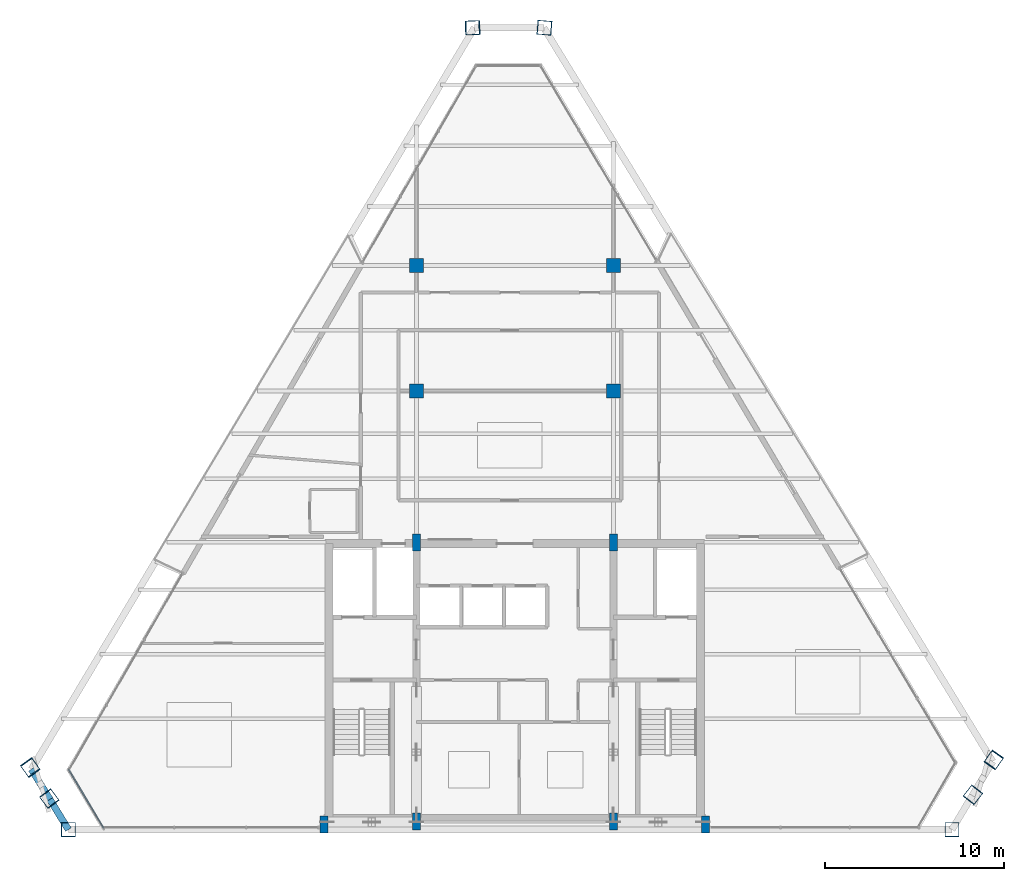
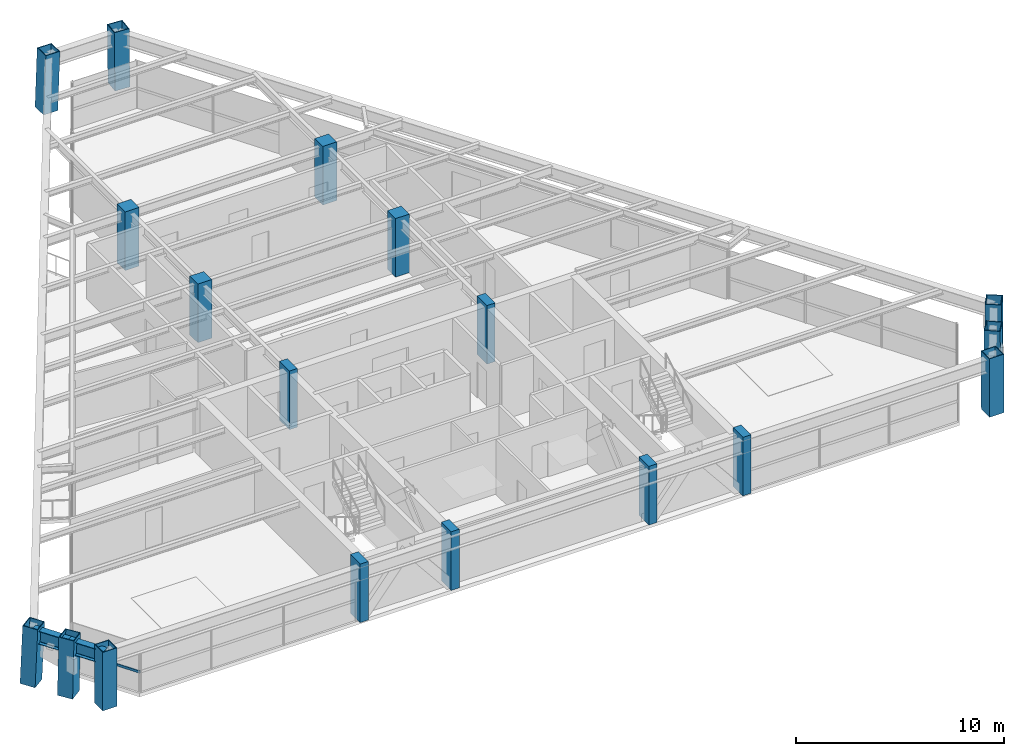
# One storey, part 1 of 13: 18 columns, 2 beams, 1 member, 1 element without a shape of its own.
"""IFC4 building model written with IfcOpenShell, lengths in metres."""

from ifc_helpers import new_model, si_unit, direction, frame, origin, origin_2d, place, context, subcontext, project, spatial, rectangle, hollow_rectangle, i_section, extrude, source, transform, mapped, material, material_profile, profile_set, type_object, type_shapes, element, aggregate, save


model = new_model("IFC4")

# Units and contexts
model_context = context("Model", 3, precision=1e-05, world=origin(), true_north=direction((0.0, 1.0)))
body_context = subcontext(model_context, "Body", "Model", "MODEL_VIEW")
ifc_project = project(units=[si_unit("LENGTHUNIT", "METRE"), si_unit("AREAUNIT", "SQUARE_METRE"), si_unit("VOLUMEUNIT", "CUBIC_METRE"), si_unit("PLANEANGLEUNIT", "RADIAN"), si_unit("MASSUNIT", "GRAM", prefix="KILO")], contexts=[model_context])

# Site, building, storey
site_placement = place(None, origin())
site = spatial("IfcSite", under=ifc_project, at=site_placement, CompositionType="ELEMENT")
building_placement = place(site_placement, origin())
building = spatial("IfcBuilding", under=site, at=building_placement, Name="Varnakhor Terracotta Tower", CompositionType="ELEMENT")
storey_placement = place(building_placement, frame((0.0, 0.0, 273.0)))
storey = spatial("IfcBuildingStorey", under=building, at=storey_placement, Name="L71", CompositionType="ELEMENT", Elevation=273.0)

# Columns
ifc_material_1 = material(Name="Concrete C50/60", Category="concrete")
ifc_material_profile_1 = material_profile(ifc_material_1, rectangle(XDim=0.449951171875, YDim=0.949951171875, at=origin_2d()), Name="RC PILASTER 950x450")
ifc_profile_set_1 = profile_set([ifc_material_profile_1], Name="Concrete C50/60")
column_type_1 = type_object("IfcColumnType", Name="COL-PIL-950x450", PredefinedType="PILASTER", material=ifc_profile_set_1)
shared_shape_1 = source(origin(), body_context, "Body", "SweptSolid", [
    extrude(rectangle(XDim=0.449951171875, YDim=0.949951171875, at=origin_2d()), origin(), (0.0, 0.0, 1.0), 3.449951171875),
])
for number, where, z_axis, x_axis, name in (
    (1, (-10.64990234375, 0.300048828125, 0.0), (0.0, 0.0, 1.0), (1.0, 0.0, 0.0), "L71 Core Pilaster CP1"),
    (2, (-5.5, 0.449951171875, 0.0), (0.0, 0.0, 1.0), (1.0, 0.0, 0.0), "L71 Core Pilaster CP2"),
    (3, (5.5, 0.449951171875, 0.0), (0.0, 0.0, 1.0), (1.0, 0.0, 0.0), "L71 Core Pilaster CP3"),
    (4, (10.64990234375, 0.300048828125, 0.0), (0.0, 0.0, 1.0), (1.0, 0.0, 0.0), "L71 Core Pilaster CP4"),
    (5, (-5.5, 16.050048828125, 0.0), (0.0, 0.0, 1.0), (1.0, 0.0, 0.0), "L71 Core Pilaster CP5"),
    (6, (5.5, 16.050048828125, 0.0), (0.0, 0.0, 1.0), (1.0, 0.0, 0.0), "L71 Core Pilaster CP6"),
):
    element("IfcColumn", number, at=place(storey_placement, frame(where, z_axis=z_axis, x_axis=x_axis)), inside=storey, type_object=column_type_1, Name=name, PredefinedType="PILASTER", context=body_context, shape_type="MappedRepresentation", body=[
        mapped(shared_shape_1, transform((0.0, 0.0, 0.0), scale=1.0)),
    ])
ifc_material_profile_2 = material_profile(ifc_material_1, rectangle(XDim=0.780029296875, YDim=0.780029296875, at=origin_2d()), Name="RC 780x780")
ifc_profile_set_2 = profile_set([ifc_material_profile_2], Name="Concrete C50/60")
column_type_2 = type_object("IfcColumnType", Name="COL-RC-780", PredefinedType="COLUMN", material=ifc_profile_set_2)
shared_shape_2 = source(origin(), body_context, "Body", "SweptSolid", [
    extrude(rectangle(XDim=0.780029296875, YDim=0.780029296875, at=origin_2d()), origin(), (0.0, 0.0, 1.0), 3.449951171875),
])
for number, where, z_axis, x_axis, name in (
    (7, (-5.5, 24.5, 0.0), (0.0, 0.0, 1.0), (1.0, 0.0, 0.0), "L71 Interior Tower Column IC1"),
    (8, (5.5, 24.5, 0.0), (0.0, 0.0, 1.0), (1.0, 0.0, 0.0), "L71 Interior Tower Column IC2"),
    (9, (-5.5, 31.5, 0.0), (0.0, 0.0, 1.0), (1.0, 0.0, 0.0), "L71 Interior Tower Column IC3"),
    (10, (5.5, 31.5, 0.0), (0.0, 0.0, 1.0), (1.0, 0.0, 0.0), "L71 Interior Tower Column IC4"),
):
    element("IfcColumn", number, at=place(storey_placement, frame(where, z_axis=z_axis, x_axis=x_axis)), inside=storey, type_object=column_type_2, Name=name, PredefinedType="COLUMN", context=body_context, shape_type="MappedRepresentation", body=[
        mapped(shared_shape_2, transform((0.0, 0.0, 0.0), scale=1.0)),
    ])
ifc_material_2 = material(Name="Steel S355", Category="steel")
ifc_material_profile_3 = material_profile(ifc_material_2, hollow_rectangle(XDim=0.800048828125, YDim=0.800048828125, WallThickness=0.0400390625, at=origin_2d()), Name="BOX 800x800x40")
ifc_profile_set_3 = profile_set([ifc_material_profile_3], Name="Steel S355")
column_type_3 = type_object("IfcColumnType", Name="COL-MEGA-800", PredefinedType="COLUMN", material=ifc_profile_set_3)
shared_shape_3 = source(origin(), body_context, "Body", "SweptSolid", [
    extrude(hollow_rectangle(XDim=0.800048828125, YDim=0.800048828125, WallThickness=0.0400390625, at=origin_2d()), origin(), (0.0, 0.0, 1.0), 3.44140625),
])
type_shapes(column_type_3, [shared_shape_3])
column_1_placement = place(storey_placement, frame((1.6591796875, 44.78076171875, 0.00439453125), z_axis=(-0.01191826782, 0.000993188985, 0.999928481676), x_axis=(-0.083045479854, -0.996545758245, 0.0)))
element("IfcColumn", 11, at=column_1_placement, inside=storey, type_object=column_type_3, Name="L71 Perimeter Mega-Column M5", PredefinedType="COLUMN", context=body_context, shape_type="MappedRepresentation", body=[
    mapped(shared_shape_3, transform((0.0, 0.0, 0.0), scale=1.0)),
])
shared_shape_4 = source(origin(), body_context, "Body", "SweptSolid", [
    extrude(hollow_rectangle(XDim=0.800048828125, YDim=0.800048828125, WallThickness=0.0400390625, at=origin_2d()), origin(), (0.0, 0.0, 1.0), 3.44189453125),
])
for number, where, z_axis, x_axis, name in (
    (12, (25.58837890625, 1.95751953125, 0.00439453125), (-0.012200500984, -0.015676225102, 0.999802682404), (0.789159901626, -0.614187796741, 0.0), "L71 Perimeter Mega-Column M3"),
    (13, (-26.00634765625, 1.744140625, 0.00439453125), (0.01220033377, -0.016527196327, 0.999788979554), (0.804534796684, 0.593905515149, 0.0), "L71 Perimeter Mega-Column M8"),
):
    element("IfcColumn", number, at=place(storey_placement, frame(where, z_axis=z_axis, x_axis=x_axis)), inside=storey, type_object=column_type_3, Name=name, PredefinedType="COLUMN", context=body_context, shape_type="MappedRepresentation", body=[
        mapped(shared_shape_4, transform((0.0, 0.0, 0.0), scale=1.0)),
    ])
shared_shape_5 = source(origin(), body_context, "Body", "SweptSolid", [
    extrude(hollow_rectangle(XDim=0.800048828125, YDim=0.800048828125, WallThickness=0.0400390625, at=origin_2d()), origin(), (0.0, 0.0, 1.0), 3.441162109375),
])
for number, where, z_axis, x_axis, name in (
    (14, (-24.93505859375, 0.0, 0.00439453125), (0.000851365424, 0.0, 0.999999637588), (1.0, 0.0, 0.0), "L71 Perimeter Mega-Column M1"),
    (15, (24.41748046875, 0.0, 0.00439453125), (-0.002412195891, 0.0, 0.999997090651), (0.0, -1.0, 0.0), "L71 Perimeter Mega-Column M2"),
):
    element("IfcColumn", number, at=place(storey_placement, frame(where, z_axis=z_axis, x_axis=x_axis)), inside=storey, type_object=column_type_3, Name=name, PredefinedType="COLUMN", context=body_context, shape_type="MappedRepresentation", body=[
        mapped(shared_shape_5, transform((0.0, 0.0, 0.0), scale=1.0)),
    ])
shared_shape_6 = source(origin(), body_context, "Body", "SweptSolid", [
    extrude(hollow_rectangle(XDim=0.800048828125, YDim=0.800048828125, WallThickness=0.0400390625, at=origin_2d()), origin(), (0.0, 0.0, 1.0), 3.443603515625),
])
column_2_placement = place(storey_placement, frame((26.759521484375, 3.9150390625, 0.00439453125), z_axis=(-0.022048360005, -0.031335611325, 0.999265705047), x_axis=(0.817838671192, -0.575447571811, 0.0)))
element("IfcColumn", 16, at=column_2_placement, inside=storey, type_object=column_type_3, Name="L71 Perimeter Mega-Column M4", PredefinedType="COLUMN", context=body_context, shape_type="MappedRepresentation", body=[
    mapped(shared_shape_6, transform((0.0, 0.0, 0.0), scale=1.0)),
])
shared_shape_7 = source(origin(), body_context, "Body", "SweptSolid", [
    extrude(hollow_rectangle(XDim=0.800048828125, YDim=0.800048828125, WallThickness=0.0400390625, at=origin_2d()), origin(), (0.0, 0.0, 1.0), 3.443115234375),
])
column_3_placement = place(storey_placement, frame((-2.377197265625, 44.78076171875, 0.00439453125), z_axis=(0.034601457275, 0.000992664758, 0.999400697304), x_axis=(-0.028676726094, 0.999588738122, 0.0)))
element("IfcColumn", 17, at=column_3_placement, inside=storey, type_object=column_type_3, Name="L71 Perimeter Mega-Column M6", PredefinedType="COLUMN", context=body_context, shape_type="MappedRepresentation", body=[
    mapped(shared_shape_7, transform((0.0, 0.0, 0.0), scale=1.0)),
])
shared_shape_8 = source(origin(), body_context, "Body", "SweptSolid", [
    extrude(hollow_rectangle(XDim=0.800048828125, YDim=0.800048828125, WallThickness=0.0400390625, at=origin_2d()), origin(), (0.0, 0.0, 1.0), 3.444091796875),
])
column_4_placement = place(storey_placement, frame((-27.07763671875, 3.48828125, 0.00439453125), z_axis=(0.02360591791, -0.033034107345, 0.999175414225), x_axis=(0.813615484448, 0.581403339745, 0.0)))
element("IfcColumn", 18, at=column_4_placement, inside=storey, type_object=column_type_3, Name="L71 Perimeter Mega-Column M7", PredefinedType="COLUMN", context=body_context, shape_type="MappedRepresentation", body=[
    mapped(shared_shape_8, transform((0.0, 0.0, 0.0), scale=1.0)),
])

# Beams
ifc_material_profile_4 = material_profile(ifc_material_2, i_section(OverallWidth=0.381103515625, OverallDepth=0.77294921875, WebThickness=0.01708984375, FlangeThickness=0.027099609375, FilletRadius=0.01806640625, at=origin_2d()), Name="W30X173")
ifc_profile_set_4 = profile_set([ifc_material_profile_4], Name="Steel S355")
beam_type = type_object("IfcBeamType", Name="BM-W30X173", PredefinedType="BEAM", material=ifc_profile_set_4)
shared_shape_9 = source(origin(), body_context, "Body", "SweptSolid", [
    extrude(i_section(OverallWidth=0.381103515625, OverallDepth=0.77294921875, WebThickness=0.01708984375, FlangeThickness=0.027099609375, FilletRadius=0.01806640625, at=origin_2d()), origin(), (0.0, 0.0, 1.0), 1.977783203125),
])
beam_1_placement = place(storey_placement, frame((-26.996337890625, 3.37451171875, 2.853515625), z_axis=(0.521774517891, -0.85308343817, 0.0), x_axis=(0.85308343817, 0.521774517891, 0.0)))
element("IfcBeam", 19, at=beam_1_placement, inside=storey, type_object=beam_type, Name="L71 Perimeter Spandrel 7", PredefinedType="BEAM", context=body_context, shape_type="MappedRepresentation", body=[
    mapped(shared_shape_9, transform((0.0, 0.0, 0.0), scale=1.0)),
])
shared_shape_10 = source(origin(), body_context, "Body", "SweptSolid", [
    extrude(i_section(OverallWidth=0.381103515625, OverallDepth=0.77294921875, WebThickness=0.01708984375, FlangeThickness=0.027099609375, FilletRadius=0.01806640625, at=origin_2d()), origin(), (0.0, 0.0, 1.0), 1.97802734375),
])
beam_2_placement = place(storey_placement, frame((-25.96435546875, 1.687255859375, 2.853515625), z_axis=(0.521864341744, -0.853028492382, 0.0), x_axis=(0.853028492382, 0.521864341744, 0.0)))
element("IfcBeam", 20, at=beam_2_placement, inside=storey, type_object=beam_type, Name="L71 Perimeter Spandrel 8", PredefinedType="BEAM", context=body_context, shape_type="MappedRepresentation", body=[
    mapped(shared_shape_10, transform((0.0, 0.0, 0.0), scale=1.0)),
])

# Curtain wall, member
ifc_material_3 = material(Name="Anodised Aluminium Curtain Wall System", Category="aluminium")
curtain_wall_type = type_object("IfcCurtainWallType", Name="CW-SYS-HOTEL-LOGGIA", PredefinedType="NOTDEFINED", material=ifc_material_3)
curtain_wall_placement = place(storey_placement, origin())
curtain_wall = element("IfcCurtainWall", 21, at=curtain_wall_placement, inside=storey, type_object=curtain_wall_type, Name="L71 Facet Curtain Wall 6", PredefinedType="NOTDEFINED")
ifc_material_4 = material(Name="Anodised Aluminium 6063-T6", Category="aluminium")
ifc_material_profile_5 = material_profile(ifc_material_4, rectangle(XDim=0.06494140625, YDim=0.14501953125, at=origin_2d()), Name="ALU TRANSOM 65x145")
ifc_profile_set_5 = profile_set([ifc_material_profile_5], Name="Anodised Aluminium 6063-T6")
member_type = type_object("IfcMemberType", Name="CWT-04", PredefinedType="USERDEFINED", material=ifc_profile_set_5)
shared_shape_11 = source(origin(), body_context, "Body", "SweptSolid", [
    extrude(rectangle(XDim=0.06494140625, YDim=0.14501953125, at=origin_2d()), origin(), (0.0, 0.0, 1.0), 3.81787109375),
])
member_placement = place(storey_placement, frame((-22.96630859375, 0.087158203125, 1.184326171875), z_axis=(-0.511370311632, 0.859360462426, 0.0), x_axis=(-0.859360462426, -0.511370311632, 0.0)))
member = element("IfcMember", 22, at=member_placement, type_object=member_type, Name="L71 Facet Curtain Wall 6 Transom 1", ObjectType="TRANSOM", PredefinedType="USERDEFINED", context=body_context, shape_type="MappedRepresentation", body=[
    mapped(shared_shape_11, transform((0.0, 0.0, 0.0), scale=1.0)),
])
aggregate(curtain_wall, [member])

save(model, "model.ifc")
